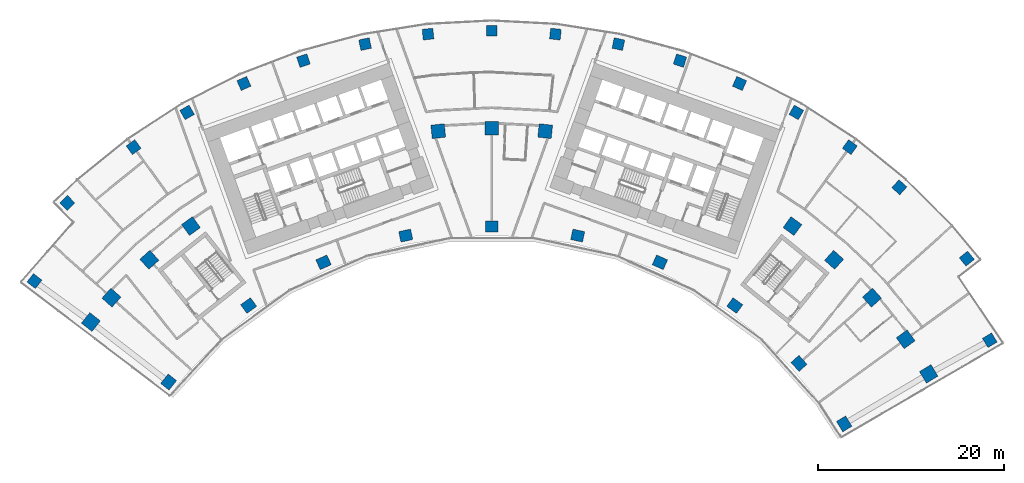
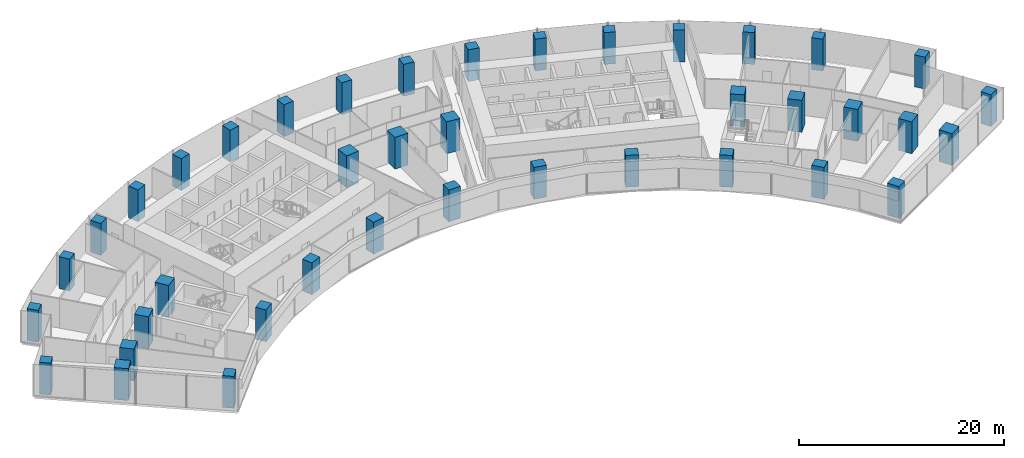
# One storey, part 1 of 21: 40 columns.
"""IFC4 building model written with IfcOpenShell, lengths in metres."""

from ifc_helpers import new_model, si_unit, direction, frame, origin, origin_2d, place, context, subcontext, project, spatial, rectangle, extrude, material, material_profile, profile_set, type_object, element, save


model = new_model("IFC4")

# Units and contexts
model_context = context("Model", 3, precision=1e-05, world=origin(), true_north=direction((0.0, 1.0)))
body_context = subcontext(model_context, "Body", "Model", "MODEL_VIEW")
ifc_project = project(units=[si_unit("LENGTHUNIT", "METRE"), si_unit("AREAUNIT", "SQUARE_METRE"), si_unit("VOLUMEUNIT", "CUBIC_METRE"), si_unit("PLANEANGLEUNIT", "RADIAN"), si_unit("MASSUNIT", "GRAM", prefix="KILO")], contexts=[model_context])

# Site, building, storey
site_placement = place(None, origin())
site = spatial("IfcSite", under=ifc_project, at=site_placement, CompositionType="ELEMENT")
building_placement = place(site_placement, origin())
building = spatial("IfcBuilding", under=site, at=building_placement, Name="Stone Belt Terrace Tower", CompositionType="ELEMENT")
storey_placement = place(building_placement, frame((0.0, 0.0, 94.60009765625)))
storey = spatial("IfcBuildingStorey", under=building, at=storey_placement, Name="L22", CompositionType="ELEMENT", Elevation=94.60009765625)

# Columns
ifc_material = material(Name="Concrete B80", Category="concrete")
ifc_material_profile_1 = material_profile(ifc_material, rectangle(XDim=1.14990234375, YDim=1.14990234375, at=origin_2d()), Name="RC 1150x1150")
ifc_profile_set_1 = profile_set([ifc_material_profile_1], Name="Concrete B80")
column_type_1 = type_object("IfcColumnType", Name="Column RC 1150x1150 B80", PredefinedType="COLUMN", material=ifc_profile_set_1)
for number, where, z_axis, x_axis, name in (
    (1, (-49.153564453125, 38.584716796875, 0.0), (0.0, 0.0, 1.0), (0.617467049123, 0.786596747545, 0.0), "Column L22 RA"),
    (2, (53.53662109375, 32.228515625, 0.0), (0.0, 0.0, 1.0), (0.515750011733, -0.856739123303, 0.0), "Column L22 RB"),
    (3, (-45.617919921875, 46.9873046875, 0.0), (0.0, 0.0, 1.0), (0.717483469981, 0.69657553094, 0.0), "Column L22 RNA"),
    (4, (-38.493408203125, 52.981689453125, 0.0), (0.0, 0.0, 1.0), (0.809016994375, 0.587785252292, 0.0), "Column L22 R16"),
    (5, (-32.744384765625, 56.715087890625, 0.0), (0.0, 0.0, 1.0), (0.866025403784, 0.5, 0.0), "Column L22 R17"),
    (6, (-26.63671875, 59.8271484375, 0.0), (0.0, 0.0, 1.0), (0.913545457643, 0.406736643076, 0.0), "Column L22 R18"),
    (7, (-20.2373046875, 62.28369140625, 0.0), (0.0, 0.0, 1.0), (0.951056516295, 0.309016994375, 0.0), "Column L22 R19"),
    (8, (-13.615966796875, 64.057861328125, 0.0), (0.0, 0.0, 1.0), (0.978147600734, 0.207911690818, 0.0), "Column L22 R20"),
    (9, (-6.845458984375, 65.130126953125, 0.0), (0.0, 0.0, 1.0), (0.994521895368, 0.104528463268, 0.0), "Column L22 R21"),
    (10, (0.0, 65.489013671875, 0.0), (0.0, 0.0, 1.0), (1.0, 0.0, 0.0), "Column L22 R22"),
    (11, (6.845458984375, 65.130126953125, 0.0), (0.0, 0.0, 1.0), (0.994521895368, -0.104528463268, 0.0), "Column L22 R23"),
    (12, (13.615966796875, 64.057861328125, 0.0), (0.0, 0.0, 1.0), (0.978147600734, -0.207911690818, 0.0), "Column L22 R24"),
    (13, (20.2373046875, 62.28369140625, 0.0), (0.0, 0.0, 1.0), (0.951056516295, -0.309016994375, 0.0), "Column L22 R25"),
    (14, (26.63671875, 59.8271484375, 0.0), (0.0, 0.0, 1.0), (0.913545457643, -0.406736643076, 0.0), "Column L22 R26"),
    (15, (32.744384765625, 56.715087890625, 0.0), (0.0, 0.0, 1.0), (0.866025403784, -0.5, 0.0), "Column L22 R27"),
    (16, (38.493408203125, 52.981689453125, 0.0), (0.0, 0.0, 1.0), (0.809016994375, -0.587785252292, 0.0), "Column L22 R28"),
    (17, (43.820556640625, 48.667724609375, 0.0), (0.0, 0.0, 1.0), (0.743144825477, -0.669130606359, 0.0), "Column L22 R29"),
    (18, (51.064208984375, 41.002685546875, 0.0), (0.0, 0.0, 1.0), (0.626104488961, -0.779739167224, 0.0), "Column L22 RNB"),
):
    element("IfcColumn", number, at=place(storey_placement, frame(where, z_axis=z_axis, x_axis=x_axis)), inside=storey, type_object=column_type_1, Name=name, PredefinedType="COLUMN", context=body_context, shape_type="SweptSolid", body=[
        extrude(rectangle(XDim=1.14990234375, YDim=1.14990234375, at=origin_2d()), origin(), (0.0, 0.0, 1.0), 3.7998046875),
    ])
ifc_material_profile_2 = material_profile(ifc_material, rectangle(XDim=1.300048828125, YDim=1.14990234375, at=origin_2d()), Name="RC 1300x1150")
ifc_profile_set_2 = profile_set([ifc_material_profile_2], Name="Concrete B80")
column_type_2 = type_object("IfcColumnType", Name="Column RC 1300x1150 B80", PredefinedType="COLUMN", material=ifc_profile_set_2)
for number, where, z_axis, x_axis, name in (
    (19, (-34.7333984375, 27.72998046875, 0.0), (0.0, 0.0, 1.0), (0.62391778826, 0.781489982977, 0.0), "Column L22 PA"),
    (20, (-26.1240234375, 35.956787109375, 0.0), (0.0, 0.0, 1.0), (0.809016994375, 0.587785252292, 0.0), "Column L22 P16"),
    (21, (-18.077392578125, 40.6025390625, 0.0), (0.0, 0.0, 1.0), (0.913545457643, 0.406736643076, 0.0), "Column L22 P18"),
    (22, (-9.240478515625, 43.473876953125, 0.0), (0.0, 0.0, 1.0), (0.978147600734, 0.207911690818, 0.0), "Column L22 P20"),
    (23, (0.0, 44.445068359375, 0.0), (0.0, 0.0, 1.0), (1.0, 0.0, 0.0), "Column L22 P22"),
    (24, (9.240478515625, 43.473876953125, 0.0), (0.0, 0.0, 1.0), (0.978147600734, -0.207911690818, 0.0), "Column L22 P24"),
    (25, (18.077392578125, 40.6025390625, 0.0), (0.0, 0.0, 1.0), (0.913545457643, -0.406736643076, 0.0), "Column L22 P26"),
    (26, (26.1240234375, 35.956787109375, 0.0), (0.0, 0.0, 1.0), (0.809016994375, -0.587785252292, 0.0), "Column L22 P28"),
    (27, (33.029052734375, 29.739501953125, 0.0), (0.0, 0.0, 1.0), (0.669130606359, -0.743144825477, 0.0), "Column L22 P30"),
    (28, (37.887939453125, 23.235107421875, 0.0), (0.0, 0.0, 1.0), (0.522781282168, -0.852466850391, 0.0), "Column L22 PB"),
):
    element("IfcColumn", number, at=place(storey_placement, frame(where, z_axis=z_axis, x_axis=x_axis)), inside=storey, type_object=column_type_2, Name=name, PredefinedType="COLUMN", context=body_context, shape_type="SweptSolid", body=[
        extrude(rectangle(XDim=1.300048828125, YDim=1.14990234375, at=origin_2d()), origin(), (0.0, 0.0, 1.0), 3.7998046875),
    ])
ifc_material_profile_3 = material_profile(ifc_material, rectangle(XDim=1.449951171875, YDim=1.449951171875, at=origin_2d()), Name="RC 1450x1450")
ifc_profile_set_3 = profile_set([ifc_material_profile_3], Name="Concrete B80")
column_type_3 = type_object("IfcColumnType", Name="Column RC 1450x1450 B80", PredefinedType="COLUMN", material=ifc_profile_set_3)
for number, where, z_axis, x_axis, name in (
    (29, (-43.086181640625, 34.1845703125, 0.0), (0.0, 0.0, 1.0), (0.621538894569, 0.783383304991, 0.0), "Column L22 QA"),
    (30, (-40.873046875, 36.80224609375, 0.0), (0.0, 0.0, 1.0), (0.669130606359, 0.743144825477, 0.0), "Column L22 Q14"),
    (31, (-36.80224609375, 40.873046875, 0.0), (0.0, 0.0, 1.0), (0.743144825477, 0.669130606359, 0.0), "Column L22 Q15"),
    (32, (-32.328125, 44.495849609375, 0.0), (0.0, 0.0, 1.0), (0.809016994375, 0.587785252292, 0.0), "Column L22 Q16"),
    (33, (-5.7490234375, 54.69873046875, 0.0), (0.0, 0.0, 1.0), (0.994521895368, 0.104528463268, 0.0), "Column L22 Q21"),
    (34, (0.0, 55.0, 0.0), (0.0, 0.0, 1.0), (1.0, 0.0, 0.0), "Column L22 Q22"),
    (35, (5.7490234375, 54.69873046875, 0.0), (0.0, 0.0, 1.0), (0.994521895368, -0.104528463268, 0.0), "Column L22 Q23"),
    (36, (32.328125, 44.495849609375, 0.0), (0.0, 0.0, 1.0), (0.809016994375, -0.587785252292, 0.0), "Column L22 Q28"),
    (37, (36.80224609375, 40.873046875, 0.0), (0.0, 0.0, 1.0), (0.743144825477, -0.669130606359, 0.0), "Column L22 Q29"),
    (38, (40.873046875, 36.80224609375, 0.0), (0.0, 0.0, 1.0), (0.669130606359, -0.743144825477, 0.0), "Column L22 Q30"),
    (39, (44.495849609375, 32.328125, 0.0), (0.0, 0.0, 1.0), (0.587785252292, -0.809016994375, 0.0), "Column L22 Q31"),
    (40, (46.972900390625, 28.610107421875, 0.0), (0.0, 0.0, 1.0), (0.520185570168, -0.854053260979, 0.0), "Column L22 QB"),
):
    element("IfcColumn", number, at=place(storey_placement, frame(where, z_axis=z_axis, x_axis=x_axis)), inside=storey, type_object=column_type_3, Name=name, PredefinedType="COLUMN", context=body_context, shape_type="SweptSolid", body=[
        extrude(rectangle(XDim=1.449951171875, YDim=1.449951171875, at=origin_2d()), origin(), (0.0, 0.0, 1.0), 3.7998046875),
    ])

save(model, "model.ifc")
